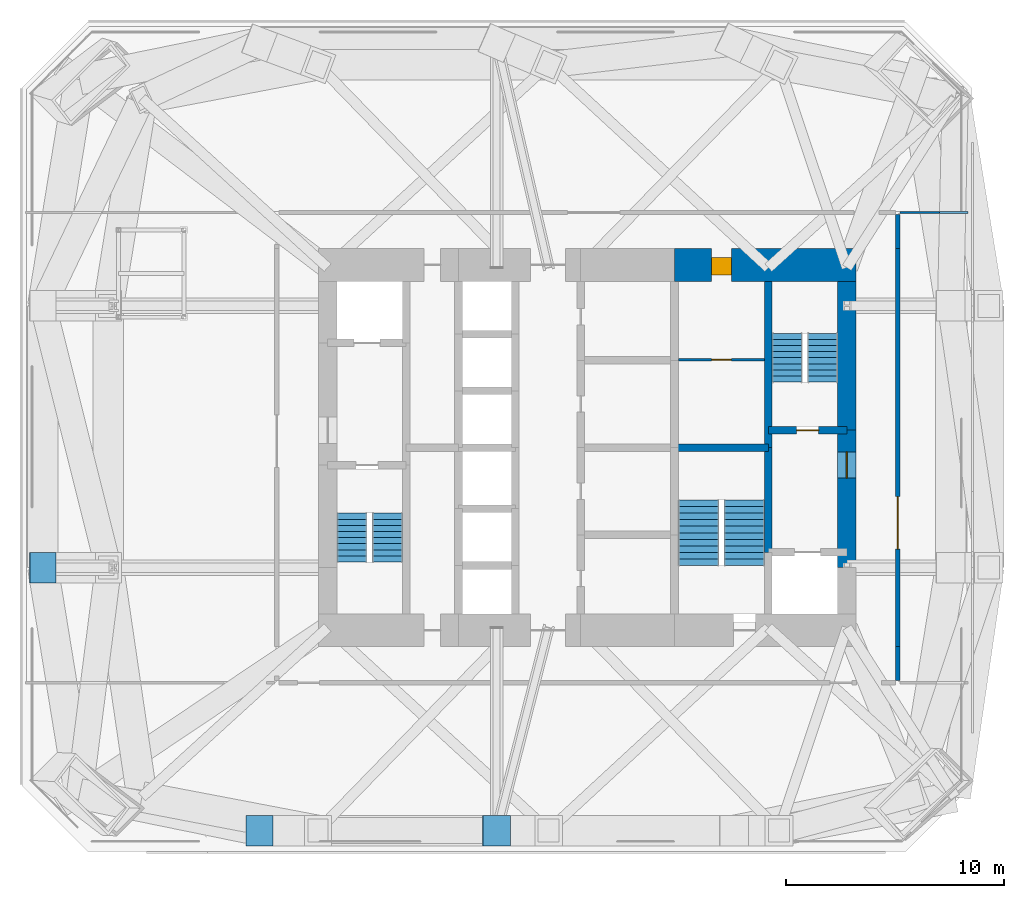
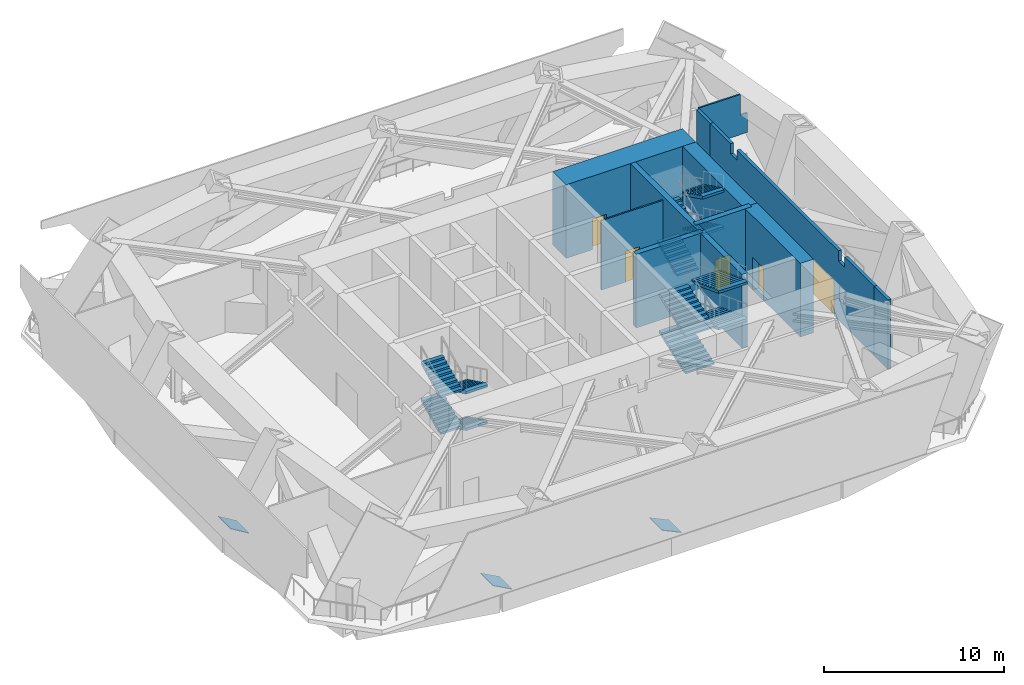
# One storey, part 7 of 11: 12 stair flights, 12 walls, 5 doors, 3 discrete accessories, 5 openings, 3 elements without a shape of their own.
"""IFC4 building model written with IfcOpenShell, lengths in metres."""

from ifc_helpers import new_model, si_unit, direction, frame, frame_2d, origin, origin_2d, place, context, subcontext, project, spatial, polyline, rectangle, outline, extrude, material, layer, layer_set, constituent, constituent_set, material_profile, profile_set, type_object, element, fill, aggregate, save


model = new_model("IFC4")

# Units and contexts
model_context = context("Model", 3, precision=1e-05, world=origin(), true_north=direction((0.0, 1.0)))
body_context = subcontext(model_context, "Body", "Model", "MODEL_VIEW")
ifc_project = project(units=[si_unit("LENGTHUNIT", "METRE"), si_unit("AREAUNIT", "SQUARE_METRE"), si_unit("VOLUMEUNIT", "CUBIC_METRE"), si_unit("PLANEANGLEUNIT", "RADIAN"), si_unit("MASSUNIT", "GRAM", prefix="KILO")], contexts=[model_context])

# Site, building, storey
site_placement = place(None, origin())
site = spatial("IfcSite", under=ifc_project, at=site_placement, CompositionType="ELEMENT")
building_placement = place(site_placement, origin())
building = spatial("IfcBuilding", under=site, at=building_placement, Name="Jalousie Tower", CompositionType="ELEMENT")
storey_placement = place(building_placement, frame((0.0, 0.0, 144.35009765625)))
storey = spatial("IfcBuildingStorey", under=building, at=storey_placement, Name="L39", CompositionType="ELEMENT", Elevation=144.35009765625)

# Wall, opening, door
ifc_material_1 = material(Name="Concrete f'c 120 MPa", Category="concrete")
ifc_layer_1 = layer(ifc_material_1, 1.5)
ifc_layer_set_1 = layer_set([ifc_layer_1], Name="Concrete f'c 120 MPa")
wall_type_1 = type_object("IfcWallType", Name="CORE WALL 1500", PredefinedType="SHEAR", material=ifc_layer_set_1)
wall_1_placement = place(storey_placement, frame((44.22509765625, 26.875, 0.0), z_axis=(0.0, 0.0, 1.0), x_axis=(-1.0, 0.0, 0.0)))
wall_1 = element("IfcWall", 1, at=wall_1_placement, inside=storey, type_object=wall_type_1, Name="Core wall NA L39", PredefinedType="SHEAR", context=body_context, shape_type="SweptSolid", body=[
    extrude(rectangle(XDim=8.3251953125, YDim=1.5, at=frame_2d((4.16259765625, 0.0))), origin(), (0.0, 0.0, 1.0), 5.0),
])
opening_1_placement = place(wall_1_placement, frame((5.72509765625, 0.0, 0.0)))
opening_1 = element("IfcOpeningElement", 2, at=opening_1_placement, cuts=wall_1, Name="Opening D26", PredefinedType="OPENING", context=body_context, shape_type="SweptSolid", body=[
    extrude(rectangle(XDim=0.89990234375, YDim=2.10009765625, at=frame_2d((0.449951171875, 1.050048828125))), frame((0.0, 0.760009765625, 0.0), z_axis=(0.0, -1.0, 0.0), x_axis=(1.0, 0.0, 0.0)), (0.0, 0.0, 1.0), 1.52001953125),
])
ifc_material_2 = material(Name="Steel fire door", Category="steel")
door_type_1 = type_object("IfcDoorType", Name="HOUSEKEEPING STORE DOOR 900", OperationType="SINGLE_SWING_LEFT", PredefinedType="DOOR", material=ifc_material_2)
door_1_placement = place(opening_1_placement, origin())
door_1 = element("IfcDoor", 3, at=door_1_placement, inside=storey, type_object=door_type_1, Name="Housekeeping store door", OperationType="SINGLE_SWING_LEFT", OverallHeight=2.10009765625, OverallWidth=0.89990234375, PredefinedType="DOOR", context=body_context, shape_type="SweptSolid", body=[
    extrude(rectangle(XDim=0.89990234375, YDim=2.10009765625, at=frame_2d((0.449951171875, 1.050048828125))), frame((0.0, 0.47021484375, 0.0), z_axis=(0.0, -1.0, 0.0), x_axis=(1.0, 0.0, 0.0)), (0.0, 0.0, 1.0), 0.800048828125),
])
fill(opening_1, door_1)

# Walls
ifc_material_3 = material(Name="Concrete f'c 120 MPa", Category="concrete")
ifc_layer_2 = layer(ifc_material_3, 0.35009765625)
ifc_layer_set_2 = layer_set([ifc_layer_2], Name="Concrete f'c 120 MPa")
wall_type_2 = type_object("IfcWallType", Name="CORE WALL 350", PredefinedType="SHEAR", material=ifc_layer_set_2)
wall_2_placement = place(storey_placement, frame((40.199951171875, 13.699951171875, 0.0), z_axis=(0.0, 0.0, 1.0), x_axis=(0.0, 1.0, 0.0)))
element("IfcWall", 4, at=wall_2_placement, inside=storey, type_object=wall_type_2, Name="Core wall X40.2B L39", PredefinedType="SHEAR", context=body_context, shape_type="SweptSolid", body=[
    extrude(rectangle(XDim=4.800048828125, YDim=0.35009765625, at=frame_2d((2.39990234375, 0.0))), origin(), (0.0, 0.0, 1.0), 5.0),
])
wall_3_placement = place(storey_placement, frame((40.199951171875, 18.5, 0.0), z_axis=(0.0, 0.0, 1.0), x_axis=(0.0, 1.0, 0.0)))
element("IfcWall", 5, at=wall_3_placement, inside=storey, type_object=wall_type_2, Name="Core wall X40.2C L39", PredefinedType="SHEAR", context=body_context, shape_type="SweptSolid", body=[
    extrude(rectangle(XDim=7.625, YDim=0.35009765625, at=frame_2d((3.8125, 0.0))), origin(), (0.0, 0.0, 1.0), 5.0),
])
wall_4_placement = place(storey_placement, frame((35.89990234375, 18.5, 0.0), z_axis=(0.0, 0.0, 1.0), x_axis=(1.0, 0.0, 0.0)))
element("IfcWall", 6, at=wall_4_placement, inside=storey, type_object=wall_type_2, Name="Core wall Y35.9-18.5 L39", PredefinedType="SHEAR", context=body_context, shape_type="SweptSolid", body=[
    extrude(rectangle(XDim=4.300048828125, YDim=0.35009765625, at=frame_2d((2.14990234375, 0.0))), origin(), (0.0, 0.0, 1.0), 5.0),
])

# Wall, opening, door
wall_5_placement = place(storey_placement, frame((40.199951171875, 19.300048828125, 0.0), z_axis=(0.0, 0.0, 1.0), x_axis=(1.0, 0.0, 0.0)))
wall_5 = element("IfcWall", 7, at=wall_5_placement, inside=storey, type_object=wall_type_2, Name="Core wall Y40.2-19.3 L39", PredefinedType="SHEAR", context=body_context, shape_type="SweptSolid", body=[
    extrude(rectangle(XDim=3.60009765625, YDim=0.35009765625, at=frame_2d((1.800048828125, 0.0))), origin(), (0.0, 0.0, 1.0), 5.0),
])
opening_2_placement = place(wall_5_placement, frame((1.300048828125, 0.0, 0.0)))
opening_2 = element("IfcOpeningElement", 8, at=opening_2_placement, cuts=wall_5, Name="Opening D10", PredefinedType="OPENING", context=body_context, shape_type="SweptSolid", body=[
    extrude(rectangle(XDim=1.0, YDim=2.10009765625, at=frame_2d((0.5, 1.050048828125))), frame((0.0, 0.18505859375, 0.0), z_axis=(0.0, -1.0, 0.0), x_axis=(1.0, 0.0, 0.0)), (0.0, 0.0, 1.0), 0.3701171875),
])
ifc_material_4 = material(Name="Steel fire door", Category="steel")
door_type_2 = type_object("IfcDoorType", Name="STAIR DOOR 1000", OperationType="SINGLE_SWING_LEFT", PredefinedType="DOOR", material=ifc_material_4)
door_2_placement = place(opening_2_placement, origin())
door_2 = element("IfcDoor", 9, at=door_2_placement, inside=storey, type_object=door_type_2, Name="Exit stair B door", OperationType="SINGLE_SWING_RIGHT", OverallHeight=2.10009765625, OverallWidth=1.0, PredefinedType="DOOR", context=body_context, shape_type="SweptSolid", body=[
    extrude(rectangle(XDim=1.0, YDim=2.10009765625, at=frame_2d((0.5, 1.050048828125))), frame((0.0, 0.02490234375, 0.0), z_axis=(0.0, -1.0, 0.0), x_axis=(1.0, 0.0, 0.0)), (0.0, 0.0, 1.0), 0.050048828125),
])
fill(opening_2, door_2)

ifc_material_5 = material(Name="Concrete f'c 120 MPa", Category="concrete")
ifc_layer_3 = layer(ifc_material_5, 0.85009765625)
ifc_layer_set_3 = layer_set([ifc_layer_3], Name="Concrete f'c 120 MPa")
wall_type_3 = type_object("IfcWallType", Name="CORE WALL 850", PredefinedType="SHEAR", material=ifc_layer_set_3)
wall_6_placement = place(storey_placement, frame((43.800048828125, 13.0, 0.0), z_axis=(0.0, 0.0, 1.0), x_axis=(0.0, 1.0, 0.0)))
wall_6 = element("IfcWall", 10, at=wall_6_placement, inside=storey, type_object=wall_type_3, Name="Core wall EB L39", PredefinedType="SHEAR", context=body_context, shape_type="SweptSolid", body=[
    extrude(rectangle(XDim=6.300048828125, YDim=0.85009765625, at=frame_2d((3.14990234375, 0.0))), origin(), (0.0, 0.0, 1.0), 5.0),
])
opening_3_placement = place(wall_6_placement, frame((4.10009765625, 0.0, 0.0)))
opening_3 = element("IfcOpeningElement", 11, at=opening_3_placement, cuts=wall_6, Name="Opening D11", PredefinedType="OPENING", context=body_context, shape_type="SweptSolid", body=[
    extrude(rectangle(XDim=1.199951171875, YDim=2.199951171875, at=frame_2d((0.60009765625, 1.10009765625))), frame((0.0, 0.43505859375, 0.0), z_axis=(0.0, -1.0, 0.0), x_axis=(1.0, 0.0, 0.0)), (0.0, 0.0, 1.0), 0.8701171875),
])
ifc_material_6 = material(Name="Steel fire door", Category="steel")
door_type_3 = type_object("IfcDoorType", Name="FIRE DOOR 1200", OperationType="SINGLE_SWING_LEFT", PredefinedType="DOOR", material=ifc_material_6)
door_3_placement = place(opening_3_placement, origin())
door_3 = element("IfcDoor", 12, at=door_3_placement, inside=storey, type_object=door_type_3, Name="Fire-fighting lobby B door", OperationType="SINGLE_SWING_RIGHT", OverallHeight=2.199951171875, OverallWidth=1.199951171875, PredefinedType="DOOR", context=body_context, shape_type="SweptSolid", body=[
    extrude(rectangle(XDim=1.199951171875, YDim=2.199951171875, at=frame_2d((0.60009765625, 1.10009765625))), frame((0.0, 0.02490234375, 0.0), z_axis=(0.0, -1.0, 0.0), x_axis=(1.0, 0.0, 0.0)), (0.0, 0.0, 1.0), 0.050048828125),
])
fill(opening_3, door_3)

# Walls
wall_7_placement = place(storey_placement, frame((43.800048828125, 19.300048828125, 0.0), z_axis=(0.0, 0.0, 1.0), x_axis=(0.0, 1.0, 0.0)))
element("IfcWall", 13, at=wall_7_placement, inside=storey, type_object=wall_type_3, Name="Core wall EC L39", PredefinedType="SHEAR", context=body_context, shape_type="SweptSolid", body=[
    extrude(rectangle(XDim=6.824951171875, YDim=0.85009765625, at=frame_2d((3.41259765625, 0.0))), origin(), (0.0, 0.0, 1.0), 5.0),
])
ifc_material_7 = material(Name="Concrete block ASTM C90", Category="concrete")
ifc_constituent_1 = constituent(ifc_material_7, Name="Body")
ifc_material_8 = material(Name="Render")
ifc_constituent_2 = constituent(ifc_material_8, Name="Finish")
ifc_constituent_set_1 = constituent_set(constituents=[ifc_constituent_1, ifc_constituent_2])
wall_type_4 = type_object("IfcWallType", Name="CORRIDOR WALL 200", PredefinedType="PARTITIONING", material=ifc_constituent_set_1)
for number, where, z_axis, x_axis, name in (
    (14, (46.125, 7.824951171875, 0.0), (0.0, 0.0, 1.0), (0.0, 1.0, 0.0), "Corridor Wall 200 L39"),
    (15, (46.125, 27.625, 0.0), (0.0, 0.0, 1.0), (0.0, 1.0, 0.0), "Corridor Wall 200 L39"),
):
    element("IfcWall", number, at=place(storey_placement, frame(where, z_axis=z_axis, x_axis=x_axis)), inside=storey, type_object=wall_type_4, Name=name, PredefinedType="PARTITIONING", context=body_context, shape_type="SweptSolid", body=[
        extrude(rectangle(XDim=1.550048828125, YDim=0.199951171875, at=frame_2d((0.77490234375, 0.0))), origin(), (0.0, 0.0, 1.0), 4.719970703125),
    ])

# Wall, opening, door
wall_8_placement = place(storey_placement, frame((46.125, 9.375, 0.0), z_axis=(0.0, 0.0, 1.0), x_axis=(0.0, 1.0, 0.0)))
wall_8 = element("IfcWall", 16, at=wall_8_placement, inside=storey, type_object=wall_type_4, Name="Corridor Wall 200 L39", PredefinedType="PARTITIONING", context=body_context, shape_type="SweptSolid", body=[
    extrude(outline(polyline([(18.25, 0.0), (18.25, 4.719970703125), (15.97509765625, 4.719970703125), (15.97509765625, 4.02001953125), (15.27490234375, 4.02001953125), (15.27490234375, 4.719970703125), (3.97509765625, 4.719970703125), (3.97509765625, 4.02001953125), (3.27490234375, 4.02001953125), (3.27490234375, 4.719970703125), (0.0, 4.719970703125), (0.0, 0.0), (18.25, 0.0)]), holes=[polyline([(3.396484375, 1.434814453125), (3.396484375, 2.410400390625), (3.853515625, 2.410400390625), (3.853515625, 1.434814453125), (3.396484375, 1.434814453125)]), polyline([(15.396484375, 1.434814453125), (15.396484375, 2.410400390625), (15.853515625, 2.410400390625), (15.853515625, 1.434814453125), (15.396484375, 1.434814453125)])]), frame((0.0, 0.10009765625, 0.0), z_axis=(0.0, -1.0, 0.0), x_axis=(1.0, 0.0, 0.0)), (0.0, 0.0, 1.0), 0.199951171875),
])
opening_4_placement = place(wall_8_placement, frame((4.47509765625, 0.0, 0.0)))
opening_4 = element("IfcOpeningElement", 17, at=opening_4_placement, cuts=wall_8, Name="Opening D9", PredefinedType="OPENING", context=body_context, shape_type="SweptSolid", body=[
    extrude(rectangle(XDim=2.39990234375, YDim=2.39990234375, at=frame_2d((1.199951171875, 1.199951171875))), frame((0.0, 0.10986328125, 0.0), z_axis=(0.0, -1.0, 0.0), x_axis=(1.0, 0.0, 0.0)), (0.0, 0.0, 1.0), 0.219970703125),
])
ifc_material_9 = material(Name="Steel fire door", Category="steel")
door_type_4 = type_object("IfcDoorType", Name="PLANT DOOR 2400", OperationType="DOUBLE_DOOR_SINGLE_SWING", PredefinedType="DOOR", material=ifc_material_9)
door_4_placement = place(opening_4_placement, frame((2.39990234375, 0.0, 0.0), z_axis=(0.0, 0.0, 1.0), x_axis=(-1.0, 0.0, 0.0)))
door_4 = element("IfcDoor", 18, at=door_4_placement, inside=storey, type_object=door_type_4, Name="Water tank room door", OperationType="DOUBLE_DOOR_SINGLE_SWING", OverallHeight=2.39990234375, OverallWidth=2.39990234375, PredefinedType="DOOR", context=body_context, shape_type="SweptSolid", body=[
    extrude(rectangle(XDim=2.39990234375, YDim=2.39990234375, at=frame_2d((1.199951171875, 1.199951171875))), frame((0.0, 0.02490234375, 0.0), z_axis=(0.0, -1.0, 0.0), x_axis=(1.0, 0.0, 0.0)), (0.0, 0.0, 1.0), 0.050048828125),
])
fill(opening_4, door_4)

# Wall
ifc_material_10 = material(Name="Gypsum board", Category="gypsum")
ifc_constituent_3 = constituent(ifc_material_10, Name="Body")
ifc_material_11 = material(Name="Light-gauge steel studs ASTM A653 SS Grade 33", Category="steel")
ifc_constituent_4 = constituent(ifc_material_11, Name="Framing")
ifc_constituent_set_2 = constituent_set(constituents=[ifc_constituent_3, ifc_constituent_4])
wall_type_5 = type_object("IfcWallType", Name="PARTITION 100", PredefinedType="PARTITIONING", material=ifc_constituent_set_2)
wall_9_placement = place(storey_placement, frame((46.22509765625, 29.27490234375, 0.0), z_axis=(0.0, 0.0, 1.0), x_axis=(1.0, 0.0, 0.0)))
element("IfcWall", 19, at=wall_9_placement, inside=storey, type_object=wall_type_5, Name="Partition 100 L39", PredefinedType="PARTITIONING", context=body_context, shape_type="SweptSolid", body=[
    extrude(outline(polyline([(0.0, 0.0), (3.125, 0.0), (3.125, 0.54638671875), (1.80810546875, 0.54638671875), (1.80810546875, 1.912353515625), (1.810791015625, 1.974609375), (3.03076171875, 1.98876953125), (3.125, 1.98876953125), (3.125, 3.31982421875), (2.66552734375, 3.31982421875), (2.66552734375, 4.719970703125), (0.0, 4.719970703125), (0.0, 0.0)])), frame((0.0, 0.050048828125, 0.0), z_axis=(0.0, -1.0, 0.0), x_axis=(1.0, 0.0, 0.0)), (0.0, 0.0, 1.0), 0.10009765625),
])

# Wall, opening, door
wall_10_placement = place(storey_placement, frame((36.074951171875, 22.52490234375, 0.0), z_axis=(0.0, 0.0, 1.0), x_axis=(1.0, 0.0, 0.0)))
wall_10 = element("IfcWall", 20, at=wall_10_placement, inside=storey, type_object=wall_type_5, Name="Partition 100 L39", PredefinedType="PARTITIONING", context=body_context, shape_type="SweptSolid", body=[
    extrude(rectangle(XDim=3.949951171875, YDim=0.10009765625, at=frame_2d((1.97509765625, 0.0))), origin(), (0.0, 0.0, 1.0), 4.719970703125),
])
opening_5_placement = place(wall_10_placement, frame((1.52490234375, 0.0, 0.0)))
opening_5 = element("IfcOpeningElement", 21, at=opening_5_placement, cuts=wall_10, Name="Opening D7", PredefinedType="OPENING", context=body_context, shape_type="SweptSolid", body=[
    extrude(rectangle(XDim=0.89990234375, YDim=2.10009765625, at=frame_2d((0.449951171875, 1.050048828125))), frame((0.0, 0.06005859375, 0.0), z_axis=(0.0, -1.0, 0.0), x_axis=(1.0, 0.0, 0.0)), (0.0, 0.0, 1.0), 0.1201171875),
])
ifc_material_12 = material(Name="Timber door", Category="wood")
door_type_5 = type_object("IfcDoorType", Name="INTERNAL DOOR 900", OperationType="SINGLE_SWING_LEFT", PredefinedType="DOOR", material=ifc_material_12)
door_5_placement = place(opening_5_placement, origin())
door_5 = element("IfcDoor", 22, at=door_5_placement, inside=storey, type_object=door_type_5, Name="Linen store door", OperationType="SINGLE_SWING_RIGHT", OverallHeight=2.10009765625, OverallWidth=0.89990234375, PredefinedType="DOOR", context=body_context, shape_type="SweptSolid", body=[
    extrude(rectangle(XDim=0.89990234375, YDim=2.10009765625, at=frame_2d((0.449951171875, 1.050048828125))), frame((0.0, 0.02490234375, 0.0), z_axis=(0.0, -1.0, 0.0), x_axis=(1.0, 0.0, 0.0)), (0.0, 0.0, 1.0), 0.050048828125),
])
fill(opening_5, door_5)

# Stair, stair flights
ifc_material_13 = material(Name="Concrete f'c 40 MPa", Category="concrete")
stair_type = type_object("IfcStairType", Name="EXIT STAIR", PredefinedType="HALF_TURN_STAIR", material=ifc_material_13)
stair_1_placement = place(storey_placement, origin())
stair_1 = element("IfcStair", 23, at=stair_1_placement, inside=storey, type_object=stair_type, Name="Exit stair A L39", PredefinedType="HALF_TURN_STAIR")
ifc_material_14 = material(Name="Concrete f'c 40 MPa", Category="concrete")
stair_flight_type = type_object("IfcStairFlightType", Name="STAIR FLIGHT", PredefinedType="STRAIGHT", material=ifc_material_14)
stair_flight_1_placement = place(storey_placement, frame((22.737548828125, 15.49755859375, 0.0), z_axis=(0.0, 0.0, 1.0), x_axis=(0.0, -1.0, 0.0)))
stair_flight_1 = element("IfcStairFlight", 24, at=stair_flight_1_placement, type_object=stair_flight_type, Name="ST-A flight 1", NumberOfRisers=9, NumberOfTreads=8, PredefinedType="STRAIGHT", RiserHeight=0.138888889, TreadLength=0.28, context=body_context, shape_type="SweptSolid", body=[
    extrude(outline(polyline([(0.0, 0.0), (0.0, 0.138916015625), (0.280029296875, 0.138916015625), (0.280029296875, 0.27783203125), (0.56005859375, 0.27783203125), (0.56005859375, 0.416748046875), (0.840087890625, 0.416748046875), (0.840087890625, 0.5556640625), (1.1201171875, 0.5556640625), (1.1201171875, 0.6943359375), (1.39990234375, 0.6943359375), (1.39990234375, 0.833251953125), (1.679931640625, 0.833251953125), (1.679931640625, 0.97216796875), (1.9599609375, 0.97216796875), (1.9599609375, 1.111083984375), (2.239990234375, 1.111083984375), (2.239990234375, 1.25), (2.239990234375, 0.94384765625), (0.33740234375, 0.0), (0.0, 0.0)])), frame((0.0, 0.6875, 0.0), z_axis=(0.0, -1.0, 0.0), x_axis=(1.0, 0.0, 0.0)), (0.0, 0.0, 1.0), 1.375),
])
stair_flight_2_placement = place(storey_placement, frame((21.112548828125, 13.257568359375, 1.25), z_axis=(0.0, 0.0, 1.0), x_axis=(0.0, 1.0, 0.0)))
stair_flight_2 = element("IfcStairFlight", 25, at=stair_flight_2_placement, type_object=stair_flight_type, Name="ST-A flight 2", NumberOfRisers=9, NumberOfTreads=8, PredefinedType="STRAIGHT", RiserHeight=0.138888889, TreadLength=0.28, context=body_context, shape_type="SweptSolid", body=[
    extrude(outline(polyline([(0.0, 0.0), (0.0, 0.138916015625), (0.280029296875, 0.138916015625), (0.280029296875, 0.27783203125), (0.56005859375, 0.27783203125), (0.56005859375, 0.416748046875), (0.840087890625, 0.416748046875), (0.840087890625, 0.5556640625), (1.1201171875, 0.5556640625), (1.1201171875, 0.6943359375), (1.39990234375, 0.6943359375), (1.39990234375, 0.833251953125), (1.679931640625, 0.833251953125), (1.679931640625, 0.97216796875), (1.9599609375, 0.97216796875), (1.9599609375, 1.111083984375), (2.239990234375, 1.111083984375), (2.239990234375, 1.25), (2.239990234375, 0.94384765625), (0.33740234375, 0.0), (0.0, 0.0)])), frame((0.0, 0.6875, 0.0), z_axis=(0.0, -1.0, 0.0), x_axis=(1.0, 0.0, 0.0)), (0.0, 0.0, 1.0), 1.375),
])
stair_flight_3_placement = place(storey_placement, frame((22.737548828125, 15.49755859375, 2.5), z_axis=(0.0, 0.0, 1.0), x_axis=(0.0, -1.0, 0.0)))
stair_flight_3 = element("IfcStairFlight", 26, at=stair_flight_3_placement, type_object=stair_flight_type, Name="ST-A flight 3", NumberOfRisers=9, NumberOfTreads=8, PredefinedType="STRAIGHT", RiserHeight=0.138888889, TreadLength=0.28, context=body_context, shape_type="SweptSolid", body=[
    extrude(outline(polyline([(0.0, 0.0), (0.0, 0.138916015625), (0.280029296875, 0.138916015625), (0.280029296875, 0.27783203125), (0.56005859375, 0.27783203125), (0.56005859375, 0.416748046875), (0.840087890625, 0.416748046875), (0.840087890625, 0.5556640625), (1.1201171875, 0.5556640625), (1.1201171875, 0.6943359375), (1.39990234375, 0.6943359375), (1.39990234375, 0.833251953125), (1.679931640625, 0.833251953125), (1.679931640625, 0.97216796875), (1.9599609375, 0.97216796875), (1.9599609375, 1.111083984375), (2.239990234375, 1.111083984375), (2.239990234375, 1.25), (2.239990234375, 0.94384765625), (0.33740234375, 0.0), (0.0, 0.0)])), frame((0.0, 0.6875, 0.0), z_axis=(0.0, -1.0, 0.0), x_axis=(1.0, 0.0, 0.0)), (0.0, 0.0, 1.0), 1.375),
])
stair_flight_4_placement = place(storey_placement, frame((21.112548828125, 13.257568359375, 3.75), z_axis=(0.0, 0.0, 1.0), x_axis=(0.0, 1.0, 0.0)))
stair_flight_4 = element("IfcStairFlight", 27, at=stair_flight_4_placement, type_object=stair_flight_type, Name="ST-A flight 4", NumberOfRisers=9, NumberOfTreads=8, PredefinedType="STRAIGHT", RiserHeight=0.138888889, TreadLength=0.28, context=body_context, shape_type="SweptSolid", body=[
    extrude(outline(polyline([(0.0, 0.0), (0.0, 0.138916015625), (0.280029296875, 0.138916015625), (0.280029296875, 0.27783203125), (0.56005859375, 0.27783203125), (0.56005859375, 0.416748046875), (0.840087890625, 0.416748046875), (0.840087890625, 0.5556640625), (1.1201171875, 0.5556640625), (1.1201171875, 0.6943359375), (1.39990234375, 0.6943359375), (1.39990234375, 0.833251953125), (1.679931640625, 0.833251953125), (1.679931640625, 0.97216796875), (1.9599609375, 0.97216796875), (1.9599609375, 1.111083984375), (2.239990234375, 1.111083984375), (2.239990234375, 1.25), (2.239990234375, 0.94384765625), (0.33740234375, 0.0), (0.0, 0.0)])), frame((0.0, 0.6875, 0.0), z_axis=(0.0, -1.0, 0.0), x_axis=(1.0, 0.0, 0.0)), (0.0, 0.0, 1.0), 1.375),
])
aggregate(stair_1, [stair_flight_1, stair_flight_2, stair_flight_3, stair_flight_4])

stair_2_placement = place(storey_placement, origin())
stair_2 = element("IfcStair", 28, at=stair_2_placement, inside=storey, type_object=stair_type, Name="Exit stair B L39", PredefinedType="HALF_TURN_STAIR")
stair_flight_5_placement = place(storey_placement, frame((41.0625, 21.50244140625, 0.0), z_axis=(0.0, 0.0, 1.0), x_axis=(0.0, 1.0, 0.0)))
stair_flight_5 = element("IfcStairFlight", 29, at=stair_flight_5_placement, type_object=stair_flight_type, Name="ST-B flight 1", NumberOfRisers=9, NumberOfTreads=8, PredefinedType="STRAIGHT", RiserHeight=0.138888889, TreadLength=0.28, context=body_context, shape_type="SweptSolid", body=[
    extrude(outline(polyline([(0.0, 0.0), (0.0, 0.138916015625), (0.280029296875, 0.138916015625), (0.280029296875, 0.27783203125), (0.56005859375, 0.27783203125), (0.56005859375, 0.416748046875), (0.840087890625, 0.416748046875), (0.840087890625, 0.5556640625), (1.1201171875, 0.5556640625), (1.1201171875, 0.6943359375), (1.39990234375, 0.6943359375), (1.39990234375, 0.833251953125), (1.679931640625, 0.833251953125), (1.679931640625, 0.97216796875), (1.9599609375, 0.97216796875), (1.9599609375, 1.111083984375), (2.239990234375, 1.111083984375), (2.239990234375, 1.25), (2.239990234375, 0.94384765625), (0.33740234375, 0.0), (0.0, 0.0)])), frame((0.0, 0.6875, 0.0), z_axis=(0.0, -1.0, 0.0), x_axis=(1.0, 0.0, 0.0)), (0.0, 0.0, 1.0), 1.375),
])
stair_flight_6_placement = place(storey_placement, frame((42.6875, 23.742431640625, 1.25), z_axis=(0.0, 0.0, 1.0), x_axis=(0.0, -1.0, 0.0)))
stair_flight_6 = element("IfcStairFlight", 30, at=stair_flight_6_placement, type_object=stair_flight_type, Name="ST-B flight 2", NumberOfRisers=9, NumberOfTreads=8, PredefinedType="STRAIGHT", RiserHeight=0.138888889, TreadLength=0.28, context=body_context, shape_type="SweptSolid", body=[
    extrude(outline(polyline([(0.0, 0.0), (0.0, 0.138916015625), (0.280029296875, 0.138916015625), (0.280029296875, 0.27783203125), (0.56005859375, 0.27783203125), (0.56005859375, 0.416748046875), (0.840087890625, 0.416748046875), (0.840087890625, 0.5556640625), (1.1201171875, 0.5556640625), (1.1201171875, 0.6943359375), (1.39990234375, 0.6943359375), (1.39990234375, 0.833251953125), (1.679931640625, 0.833251953125), (1.679931640625, 0.97216796875), (1.9599609375, 0.97216796875), (1.9599609375, 1.111083984375), (2.239990234375, 1.111083984375), (2.239990234375, 1.25), (2.239990234375, 0.94384765625), (0.33740234375, 0.0), (0.0, 0.0)])), frame((0.0, 0.6875, 0.0), z_axis=(0.0, -1.0, 0.0), x_axis=(1.0, 0.0, 0.0)), (0.0, 0.0, 1.0), 1.375),
])
stair_flight_7_placement = place(storey_placement, frame((41.0625, 21.50244140625, 2.5), z_axis=(0.0, 0.0, 1.0), x_axis=(0.0, 1.0, 0.0)))
stair_flight_7 = element("IfcStairFlight", 31, at=stair_flight_7_placement, type_object=stair_flight_type, Name="ST-B flight 3", NumberOfRisers=9, NumberOfTreads=8, PredefinedType="STRAIGHT", RiserHeight=0.138888889, TreadLength=0.28, context=body_context, shape_type="SweptSolid", body=[
    extrude(outline(polyline([(0.0, 0.0), (0.0, 0.138916015625), (0.280029296875, 0.138916015625), (0.280029296875, 0.27783203125), (0.56005859375, 0.27783203125), (0.56005859375, 0.416748046875), (0.840087890625, 0.416748046875), (0.840087890625, 0.5556640625), (1.1201171875, 0.5556640625), (1.1201171875, 0.6943359375), (1.39990234375, 0.6943359375), (1.39990234375, 0.833251953125), (1.679931640625, 0.833251953125), (1.679931640625, 0.97216796875), (1.9599609375, 0.97216796875), (1.9599609375, 1.111083984375), (2.239990234375, 1.111083984375), (2.239990234375, 1.25), (2.239990234375, 0.94384765625), (0.33740234375, 0.0), (0.0, 0.0)])), frame((0.0, 0.6875, 0.0), z_axis=(0.0, -1.0, 0.0), x_axis=(1.0, 0.0, 0.0)), (0.0, 0.0, 1.0), 1.375),
])
stair_flight_8_placement = place(storey_placement, frame((42.6875, 23.742431640625, 3.75), z_axis=(0.0, 0.0, 1.0), x_axis=(0.0, -1.0, 0.0)))
stair_flight_8 = element("IfcStairFlight", 32, at=stair_flight_8_placement, type_object=stair_flight_type, Name="ST-B flight 4", NumberOfRisers=9, NumberOfTreads=8, PredefinedType="STRAIGHT", RiserHeight=0.138888889, TreadLength=0.28, context=body_context, shape_type="SweptSolid", body=[
    extrude(outline(polyline([(0.0, 0.0), (0.0, 0.138916015625), (0.280029296875, 0.138916015625), (0.280029296875, 0.27783203125), (0.56005859375, 0.27783203125), (0.56005859375, 0.416748046875), (0.840087890625, 0.416748046875), (0.840087890625, 0.5556640625), (1.1201171875, 0.5556640625), (1.1201171875, 0.6943359375), (1.39990234375, 0.6943359375), (1.39990234375, 0.833251953125), (1.679931640625, 0.833251953125), (1.679931640625, 0.97216796875), (1.9599609375, 0.97216796875), (1.9599609375, 1.111083984375), (2.239990234375, 1.111083984375), (2.239990234375, 1.25), (2.239990234375, 0.94384765625), (0.33740234375, 0.0), (0.0, 0.0)])), frame((0.0, 0.6875, 0.0), z_axis=(0.0, -1.0, 0.0), x_axis=(1.0, 0.0, 0.0)), (0.0, 0.0, 1.0), 1.375),
])
aggregate(stair_2, [stair_flight_5, stair_flight_6, stair_flight_7, stair_flight_8])

stair_3_placement = place(storey_placement, origin())
stair_3 = element("IfcStair", 33, at=stair_3_placement, inside=storey, type_object=stair_type, Name="Exit stair C L39", PredefinedType="HALF_TURN_STAIR")
stair_flight_9_placement = place(storey_placement, frame((37.0, 13.097412109375, 0.0), z_axis=(0.0, 0.0, 1.0), x_axis=(0.0, 1.0, 0.0)))
stair_flight_9 = element("IfcStairFlight", 34, at=stair_flight_9_placement, type_object=stair_flight_type, Name="ST-C flight 1", NumberOfRisers=11, NumberOfTreads=10, PredefinedType="STRAIGHT", RiserHeight=0.113636364, TreadLength=0.3, context=body_context, shape_type="SweptSolid", body=[
    extrude(outline(polyline([(0.0, 0.0), (0.0, 0.113525390625), (0.300048828125, 0.113525390625), (0.300048828125, 0.227294921875), (0.60009765625, 0.227294921875), (0.60009765625, 0.3408203125), (0.89990234375, 0.3408203125), (0.89990234375, 0.45458984375), (1.199951171875, 0.45458984375), (1.199951171875, 0.568115234375), (1.5, 0.568115234375), (1.5, 0.681884765625), (1.800048828125, 0.681884765625), (1.800048828125, 0.79541015625), (2.10009765625, 0.79541015625), (2.10009765625, 0.9091796875), (2.39990234375, 0.9091796875), (2.39990234375, 1.022705078125), (2.699951171875, 1.022705078125), (2.699951171875, 1.136474609375), (3.0, 1.136474609375), (3.0, 1.25), (3.0, 0.97607421875), (0.423095703125, 0.0), (0.0, 0.0)])), frame((0.0, 0.925048828125, 0.0), z_axis=(0.0, -1.0, 0.0), x_axis=(1.0, 0.0, 0.0)), (0.0, 0.0, 1.0), 1.85009765625),
])
stair_flight_10_placement = place(storey_placement, frame((39.10009765625, 16.097412109375, 1.25), z_axis=(0.0, 0.0, 1.0), x_axis=(0.0, -1.0, 0.0)))
stair_flight_10 = element("IfcStairFlight", 35, at=stair_flight_10_placement, type_object=stair_flight_type, Name="ST-C flight 2", NumberOfRisers=11, NumberOfTreads=10, PredefinedType="STRAIGHT", RiserHeight=0.113636364, TreadLength=0.3, context=body_context, shape_type="SweptSolid", body=[
    extrude(outline(polyline([(0.0, 0.0), (0.0, 0.113525390625), (0.300048828125, 0.113525390625), (0.300048828125, 0.227294921875), (0.60009765625, 0.227294921875), (0.60009765625, 0.3408203125), (0.89990234375, 0.3408203125), (0.89990234375, 0.45458984375), (1.199951171875, 0.45458984375), (1.199951171875, 0.568115234375), (1.5, 0.568115234375), (1.5, 0.681884765625), (1.800048828125, 0.681884765625), (1.800048828125, 0.79541015625), (2.10009765625, 0.79541015625), (2.10009765625, 0.9091796875), (2.39990234375, 0.9091796875), (2.39990234375, 1.022705078125), (2.699951171875, 1.022705078125), (2.699951171875, 1.136474609375), (3.0, 1.136474609375), (3.0, 1.25), (3.0, 0.97607421875), (0.423095703125, 0.0), (0.0, 0.0)])), frame((0.0, 0.925048828125, 0.0), z_axis=(0.0, -1.0, 0.0), x_axis=(1.0, 0.0, 0.0)), (0.0, 0.0, 1.0), 1.85009765625),
])
stair_flight_11_placement = place(storey_placement, frame((37.0, 13.097412109375, 2.5), z_axis=(0.0, 0.0, 1.0), x_axis=(0.0, 1.0, 0.0)))
stair_flight_11 = element("IfcStairFlight", 36, at=stair_flight_11_placement, type_object=stair_flight_type, Name="ST-C flight 3", NumberOfRisers=11, NumberOfTreads=10, PredefinedType="STRAIGHT", RiserHeight=0.113636364, TreadLength=0.3, context=body_context, shape_type="SweptSolid", body=[
    extrude(outline(polyline([(0.0, 0.0), (0.0, 0.113525390625), (0.300048828125, 0.113525390625), (0.300048828125, 0.227294921875), (0.60009765625, 0.227294921875), (0.60009765625, 0.3408203125), (0.89990234375, 0.3408203125), (0.89990234375, 0.45458984375), (1.199951171875, 0.45458984375), (1.199951171875, 0.568115234375), (1.5, 0.568115234375), (1.5, 0.681884765625), (1.800048828125, 0.681884765625), (1.800048828125, 0.79541015625), (2.10009765625, 0.79541015625), (2.10009765625, 0.9091796875), (2.39990234375, 0.9091796875), (2.39990234375, 1.022705078125), (2.699951171875, 1.022705078125), (2.699951171875, 1.136474609375), (3.0, 1.136474609375), (3.0, 1.25), (3.0, 0.97607421875), (0.423095703125, 0.0), (0.0, 0.0)])), frame((0.0, 0.925048828125, 0.0), z_axis=(0.0, -1.0, 0.0), x_axis=(1.0, 0.0, 0.0)), (0.0, 0.0, 1.0), 1.85009765625),
])
stair_flight_12_placement = place(storey_placement, frame((39.10009765625, 16.097412109375, 3.75), z_axis=(0.0, 0.0, 1.0), x_axis=(0.0, -1.0, 0.0)))
stair_flight_12 = element("IfcStairFlight", 37, at=stair_flight_12_placement, type_object=stair_flight_type, Name="ST-C flight 4", NumberOfRisers=11, NumberOfTreads=10, PredefinedType="STRAIGHT", RiserHeight=0.113636364, TreadLength=0.3, context=body_context, shape_type="SweptSolid", body=[
    extrude(outline(polyline([(0.0, 0.0), (0.0, 0.113525390625), (0.300048828125, 0.113525390625), (0.300048828125, 0.227294921875), (0.60009765625, 0.227294921875), (0.60009765625, 0.3408203125), (0.89990234375, 0.3408203125), (0.89990234375, 0.45458984375), (1.199951171875, 0.45458984375), (1.199951171875, 0.568115234375), (1.5, 0.568115234375), (1.5, 0.681884765625), (1.800048828125, 0.681884765625), (1.800048828125, 0.79541015625), (2.10009765625, 0.79541015625), (2.10009765625, 0.9091796875), (2.39990234375, 0.9091796875), (2.39990234375, 1.022705078125), (2.699951171875, 1.022705078125), (2.699951171875, 1.136474609375), (3.0, 1.136474609375), (3.0, 1.25), (3.0, 0.97607421875), (0.423095703125, 0.0), (0.0, 0.0)])), frame((0.0, 0.925048828125, 0.0), z_axis=(0.0, -1.0, 0.0), x_axis=(1.0, 0.0, 0.0)), (0.0, 0.0, 1.0), 1.85009765625),
])
aggregate(stair_3, [stair_flight_9, stair_flight_10, stair_flight_11, stair_flight_12])

# Discrete accessories
ifc_material_15 = material(Name="Steel ASTM A572 Grade 50 plate", Category="steel")
ifc_material_profile = material_profile(ifc_material_15, rectangle(XDim=1.39990234375, YDim=1.39990234375, at=origin_2d()), Name="BRACE END PLATE 1400x1400x40")
ifc_profile_set = profile_set([ifc_material_profile], Name="Steel ASTM A572 Grade 50 plate")
discrete_accessory_type = type_object("IfcDiscreteAccessoryType", Name="BRACE END PLATE 1400x1400x40", PredefinedType="USERDEFINED", material=ifc_profile_set)
discrete_accessory_1_placement = place(storey_placement, frame((16.865478515625, 0.949951171875, -0.017578125), z_axis=(0.476283148541, 0.0, 0.879291966537), x_axis=(0.0, 1.0, 0.0)))
element("IfcDiscreteAccessory", 38, at=discrete_accessory_1_placement, inside=storey, type_object=discrete_accessory_type, Name="Transfer truss T2 strut 02 L39 end plate 1", ObjectType="STRUT END PLATE", PredefinedType="USERDEFINED", context=body_context, shape_type="SweptSolid", body=[
    extrude(rectangle(XDim=1.39990234375, YDim=1.39990234375, at=origin_2d()), origin(), (0.0, 0.0, 1.0), 0.0400390625),
])
discrete_accessory_2_placement = place(storey_placement, frame((27.741455078125, 0.949951171875, -0.018310546875), z_axis=(0.425211872296, 0.0, 0.90509384246), x_axis=(0.0, 1.0, 0.0)))
element("IfcDiscreteAccessory", 39, at=discrete_accessory_2_placement, inside=storey, type_object=discrete_accessory_type, Name="Transfer truss T2 strut 03 L39 end plate 1", ObjectType="STRUT END PLATE", PredefinedType="USERDEFINED", context=body_context, shape_type="SweptSolid", body=[
    extrude(rectangle(XDim=1.39990234375, YDim=1.39990234375, at=origin_2d()), origin(), (0.0, 0.0, 1.0), 0.040283203125),
])
discrete_accessory_3_placement = place(storey_placement, frame((6.939697265625, 13.0, -0.01708984375), z_axis=(0.514495755428, 0.0, 0.857492925713), x_axis=(0.0, 1.0, 0.0)))
element("IfcDiscreteAccessory", 40, at=discrete_accessory_3_placement, inside=storey, type_object=discrete_accessory_type, Name="Transfer truss T2 strut 14 L39 end plate 1", ObjectType="STRUT END PLATE", PredefinedType="USERDEFINED", context=body_context, shape_type="SweptSolid", body=[
    extrude(rectangle(XDim=1.39990234375, YDim=1.39990234375, at=origin_2d()), origin(), (0.0, 0.0, 1.0), 0.039794921875),
])

save(model, "model.ifc")
